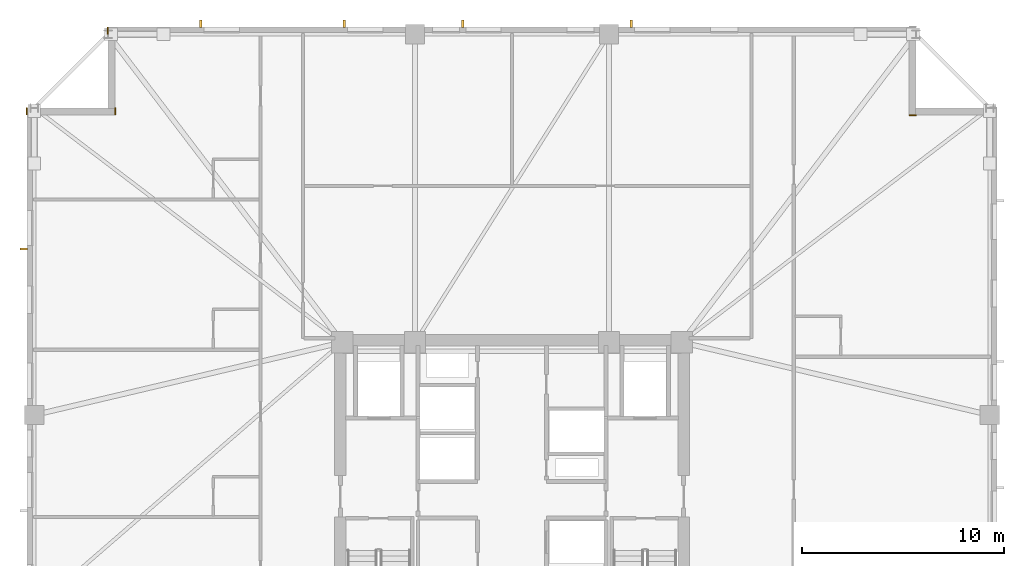
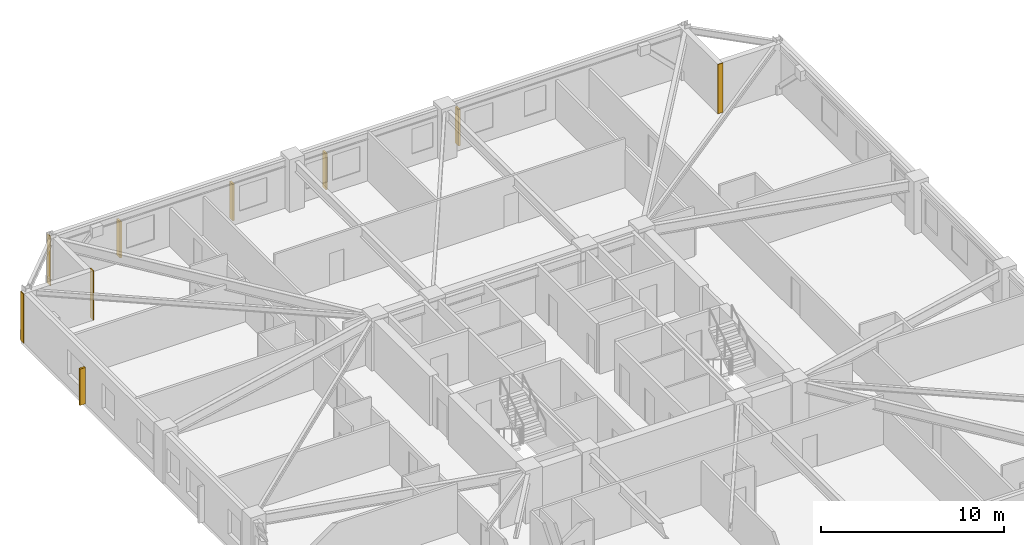
# One storey, part 10 of 11: 5 shading devices, 4 coverings.
"""IFC4 building model written with IfcOpenShell, lengths in metres."""

from ifc_helpers import new_model, si_unit, direction, frame, frame_2d, origin, origin_2d, place, context, subcontext, project, spatial, rectangle, extrude, material, layer, layer_set, type_object, element, save


model = new_model("IFC4")

# Units and contexts
model_context = context("Model", 3, precision=1e-05, world=origin(), true_north=direction((0.0, 1.0)))
body_context = subcontext(model_context, "Body", "Model", "MODEL_VIEW")
ifc_project = project(units=[si_unit("LENGTHUNIT", "METRE"), si_unit("AREAUNIT", "SQUARE_METRE"), si_unit("VOLUMEUNIT", "CUBIC_METRE"), si_unit("PLANEANGLEUNIT", "RADIAN"), si_unit("MASSUNIT", "GRAM", prefix="KILO")], contexts=[model_context])

# Site, building, storey
site_placement = place(None, origin())
site = spatial("IfcSite", under=ifc_project, at=site_placement, CompositionType="ELEMENT")
building_placement = place(site_placement, origin())
building = spatial("IfcBuilding", under=site, at=building_placement, Name="Cairnveth Concourse Tower", CompositionType="ELEMENT")
storey_placement = place(building_placement, frame((0.0, 0.0, 151.5)))
storey = spatial("IfcBuildingStorey", under=building, at=storey_placement, Name="L41", CompositionType="ELEMENT", Elevation=151.5)

# Coverings
ifc_material_1 = material(Name="Dressed Melbourne Bluestone Cladding", Category="masonry")
ifc_layer = layer(ifc_material_1, 0.050048828125)
ifc_layer_set = layer_set([ifc_layer], Name="Dressed Melbourne Bluestone Cladding")
covering_type = type_object("IfcCoveringType", Name="DRESSED BLUESTONE PLINTH CLADDING 50", PredefinedType="CLADDING", material=ifc_layer_set)
for number, where, z_axis, x_axis, name in (
    (1, (27.97998046875, 58.659912109375, 0.0), (0.0, 0.0, 1.0), (0.0, 1.0, 0.0), "Melbourne Bluestone Corner Quoin L41-599"),
    (2, (32.360107421875, 58.659912109375, 0.0), (0.0, 0.0, 1.0), (0.0, 1.0, 0.0), "Melbourne Bluestone Corner Quoin L41-600"),
    (3, (31.97998046875, 62.659912109375, 0.0), (0.0, 0.0, 1.0), (0.0, 1.0, 0.0), "Melbourne Bluestone Corner Quoin L41-601"),
    (4, (71.659912109375, 58.639892578125, 0.0), (0.0, 0.0, 1.0), (1.0, 0.0, 0.0), "Melbourne Bluestone Corner Quoin L41-603"),
):
    element("IfcCovering", number, at=place(storey_placement, frame(where, z_axis=z_axis, x_axis=x_axis)), inside=storey, type_object=covering_type, Name=name, PredefinedType="CLADDING", context=body_context, shape_type="SweptSolid", body=[
        extrude(rectangle(XDim=0.340087890625, YDim=0.050048828125, at=frame_2d((0.169921875, 0.0))), origin(), (0.0, 0.0, 1.0), 3.280029296875),
    ])

# Shading devices
ifc_material_2 = material(Name="Architectural Bronze Anodised Aluminium 6063-T6", Category="aluminium")
shading_device_type = type_object("IfcShadingDeviceType", Name="GOTHIC BRONZE VERTICAL LANCET FIN", PredefinedType="USERDEFINED", material=ifc_material_2)
for number, where, z_axis, x_axis, name in (
    (5, (27.824951171875, 52.020263671875, 0.030029296875), (0.0, 0.0, 1.0), (0.0, 1.0, 0.0), "Gothic Bronze Vertical Fin L41-3-9"),
    (6, (36.591796875, 63.175048828125, 0.030029296875), (0.0, 0.0, 1.0), (1.0, 0.0, 0.0), "Gothic Bronze Vertical Fin L41-6-1"),
    (7, (43.698974609375, 63.175048828125, 0.030029296875), (0.0, 0.0, 1.0), (1.0, 0.0, 0.0), "Gothic Bronze Vertical Fin L41-6-3"),
    (8, (49.555908203125, 63.175048828125, 0.030029296875), (0.0, 0.0, 1.0), (1.0, 0.0, 0.0), "Gothic Bronze Vertical Fin L41-6-5"),
    (9, (57.9130859375, 63.175048828125, 0.030029296875), (0.0, 0.0, 1.0), (1.0, 0.0, 0.0), "Gothic Bronze Vertical Fin L41-6-7"),
):
    element("IfcShadingDevice", number, at=place(storey_placement, frame(where, z_axis=z_axis, x_axis=x_axis)), inside=storey, type_object=shading_device_type, Name=name, ObjectType="VERTICAL FIN", PredefinedType="USERDEFINED", context=body_context, shape_type="SweptSolid", body=[
        extrude(rectangle(XDim=0.1201171875, YDim=0.360107421875, at=origin_2d()), origin(), (0.0, 0.0, 1.0), 2.419921875),
    ])

save(model, "model.ifc")
